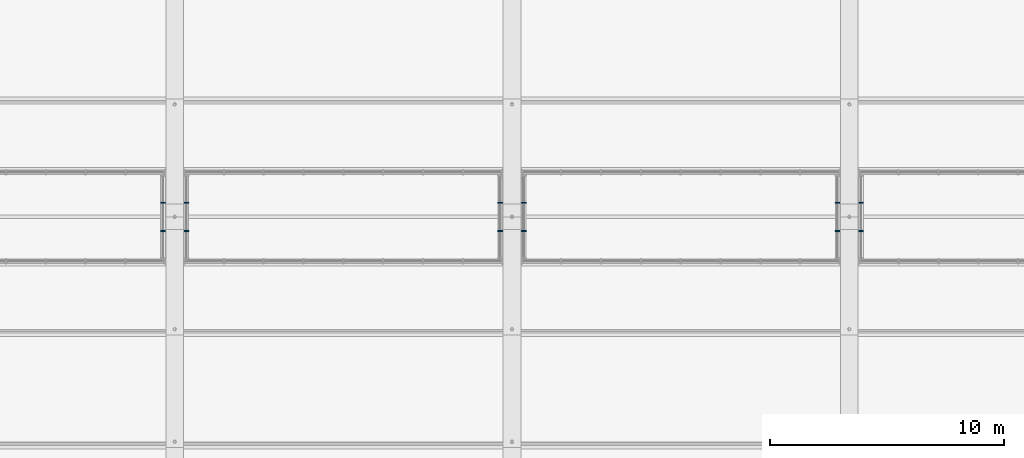
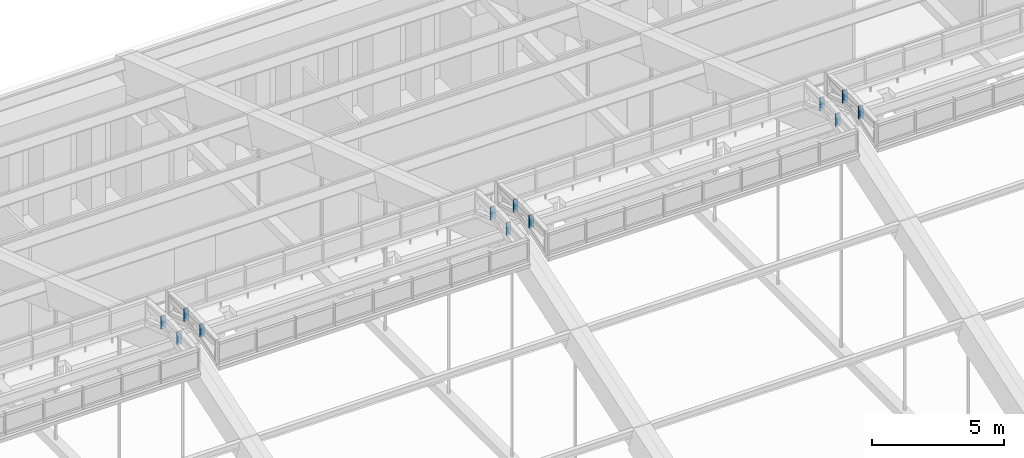
# One storey, part 108 of 149: 12 members, 6 elements without a shape of their own.
"""IFC4 building model written with IfcOpenShell, lengths in metres."""

from ifc_helpers import new_model, si_unit, direction, frame, origin, origin_2d, place, context, subcontext, project, spatial, rectangle, extrude, material, material_profile, profile_set, type_object, element, aggregate, save


model = new_model("IFC4")

# Units and contexts
model_context = context("Model", 3, precision=1e-05, world=origin(), true_north=direction((0.0, 1.0)))
body_context = subcontext(model_context, "Body", "Model", "MODEL_VIEW")
ifc_project = project(units=[si_unit("LENGTHUNIT", "METRE"), si_unit("AREAUNIT", "SQUARE_METRE"), si_unit("VOLUMEUNIT", "CUBIC_METRE"), si_unit("PLANEANGLEUNIT", "RADIAN"), si_unit("MASSUNIT", "GRAM", prefix="KILO")], contexts=[model_context])

# Site, building, storey
site_placement = place(None, origin())
site = spatial("IfcSite", under=ifc_project, at=site_placement, CompositionType="ELEMENT")
building_placement = place(site_placement, origin())
building = spatial("IfcBuilding", under=site, at=building_placement, Name="Alderwick Market Hall", CompositionType="ELEMENT")
storey_placement = place(building_placement, frame((0.0, 0.0, 9.60009765625)))
storey = spatial("IfcBuildingStorey", under=building, at=storey_placement, Name="L01", CompositionType="ELEMENT", Elevation=9.60009765625)

# Curtain wall, members
ifc_material = material(Name="Aluminium", Category="aluminium")
curtain_wall_type = type_object("IfcCurtainWallType", Name="R Curtain Wall Frame", PredefinedType="NOTDEFINED", material=ifc_material)
curtain_wall_1_placement = place(storey_placement, origin())
curtain_wall_1 = element("IfcCurtainWall", 1, at=curtain_wall_1_placement, inside=storey, type_object=curtain_wall_type, Name="Curtain wall LCW E3", PredefinedType="NOTDEFINED")
ifc_material_profile = material_profile(ifc_material, rectangle(XDim=0.199951171875, YDim=0.06005859375, at=origin_2d()), Name="AL 60x200")
ifc_profile_set = profile_set([ifc_material_profile], Name="Aluminium")
member_type = type_object("IfcMemberType", Name="R CW Mullion 60x200", PredefinedType="MULLION", material=ifc_profile_set)
member_1_placement = place(storey_placement, frame((93.10009765625, 78.60009765625, 17.103515625), z_axis=(0.0, 0.0, 1.0), x_axis=(1.0, 0.0, 0.0)))
member_1 = element("IfcMember", 2, at=member_1_placement, type_object=member_type, Name="LCW E3 mullion 2", PredefinedType="MULLION", context=body_context, shape_type="SweptSolid", body=[
    extrude(rectangle(XDim=0.199951171875, YDim=0.06005859375, at=origin_2d()), origin(), (0.0, 0.0, 1.0), 0.596435546875),
])
member_2_placement = place(storey_placement, frame((93.10009765625, 79.800048828125, 17.103515625), z_axis=(0.0, 0.0, 1.0), x_axis=(1.0, 0.0, 0.0)))
member_2 = element("IfcMember", 3, at=member_2_placement, type_object=member_type, Name="LCW E3 mullion 3", PredefinedType="MULLION", context=body_context, shape_type="SweptSolid", body=[
    extrude(rectangle(XDim=0.199951171875, YDim=0.06005859375, at=origin_2d()), origin(), (0.0, 0.0, 1.0), 0.596435546875),
])
aggregate(curtain_wall_1, [member_1, member_2])

curtain_wall_2_placement = place(storey_placement, origin())
curtain_wall_2 = element("IfcCurtainWall", 4, at=curtain_wall_2_placement, inside=storey, type_object=curtain_wall_type, Name="Curtain wall LCW W4", PredefinedType="NOTDEFINED")
member_3_placement = place(storey_placement, frame((94.10009765625, 78.60009765625, 17.103515625), z_axis=(0.0, 0.0, 1.0), x_axis=(1.0, 0.0, 0.0)))
member_3 = element("IfcMember", 5, at=member_3_placement, type_object=member_type, Name="LCW W4 mullion 2", PredefinedType="MULLION", context=body_context, shape_type="SweptSolid", body=[
    extrude(rectangle(XDim=0.199951171875, YDim=0.06005859375, at=origin_2d()), origin(), (0.0, 0.0, 1.0), 0.596435546875),
])
member_4_placement = place(storey_placement, frame((94.10009765625, 79.800048828125, 17.103515625), z_axis=(0.0, 0.0, 1.0), x_axis=(1.0, 0.0, 0.0)))
member_4 = element("IfcMember", 6, at=member_4_placement, type_object=member_type, Name="LCW W4 mullion 3", PredefinedType="MULLION", context=body_context, shape_type="SweptSolid", body=[
    extrude(rectangle(XDim=0.199951171875, YDim=0.06005859375, at=origin_2d()), origin(), (0.0, 0.0, 1.0), 0.596435546875),
])
aggregate(curtain_wall_2, [member_3, member_4])

curtain_wall_3_placement = place(storey_placement, origin())
curtain_wall_3 = element("IfcCurtainWall", 7, at=curtain_wall_3_placement, inside=storey, type_object=curtain_wall_type, Name="Curtain wall LCW E4", PredefinedType="NOTDEFINED")
member_5_placement = place(storey_placement, frame((107.5, 78.60009765625, 17.103515625), z_axis=(0.0, 0.0, 1.0), x_axis=(1.0, 0.0, 0.0)))
member_5 = element("IfcMember", 8, at=member_5_placement, type_object=member_type, Name="LCW E4 mullion 2", PredefinedType="MULLION", context=body_context, shape_type="SweptSolid", body=[
    extrude(rectangle(XDim=0.199951171875, YDim=0.06005859375, at=origin_2d()), origin(), (0.0, 0.0, 1.0), 0.596435546875),
])
member_6_placement = place(storey_placement, frame((107.5, 79.800048828125, 17.103515625), z_axis=(0.0, 0.0, 1.0), x_axis=(1.0, 0.0, 0.0)))
member_6 = element("IfcMember", 9, at=member_6_placement, type_object=member_type, Name="LCW E4 mullion 3", PredefinedType="MULLION", context=body_context, shape_type="SweptSolid", body=[
    extrude(rectangle(XDim=0.199951171875, YDim=0.06005859375, at=origin_2d()), origin(), (0.0, 0.0, 1.0), 0.596435546875),
])
aggregate(curtain_wall_3, [member_5, member_6])

curtain_wall_4_placement = place(storey_placement, origin())
curtain_wall_4 = element("IfcCurtainWall", 10, at=curtain_wall_4_placement, inside=storey, type_object=curtain_wall_type, Name="Curtain wall LCW W5", PredefinedType="NOTDEFINED")
member_7_placement = place(storey_placement, frame((108.5, 78.60009765625, 17.103515625), z_axis=(0.0, 0.0, 1.0), x_axis=(1.0, 0.0, 0.0)))
member_7 = element("IfcMember", 11, at=member_7_placement, type_object=member_type, Name="LCW W5 mullion 2", PredefinedType="MULLION", context=body_context, shape_type="SweptSolid", body=[
    extrude(rectangle(XDim=0.199951171875, YDim=0.06005859375, at=origin_2d()), origin(), (0.0, 0.0, 1.0), 0.596435546875),
])
member_8_placement = place(storey_placement, frame((108.5, 79.800048828125, 17.103515625), z_axis=(0.0, 0.0, 1.0), x_axis=(1.0, 0.0, 0.0)))
member_8 = element("IfcMember", 12, at=member_8_placement, type_object=member_type, Name="LCW W5 mullion 3", PredefinedType="MULLION", context=body_context, shape_type="SweptSolid", body=[
    extrude(rectangle(XDim=0.199951171875, YDim=0.06005859375, at=origin_2d()), origin(), (0.0, 0.0, 1.0), 0.596435546875),
])
aggregate(curtain_wall_4, [member_7, member_8])

curtain_wall_5_placement = place(storey_placement, origin())
curtain_wall_5 = element("IfcCurtainWall", 13, at=curtain_wall_5_placement, inside=storey, type_object=curtain_wall_type, Name="Curtain wall LCW E5", PredefinedType="NOTDEFINED")
member_9_placement = place(storey_placement, frame((121.89990234375, 78.60009765625, 17.103515625), z_axis=(0.0, 0.0, 1.0), x_axis=(1.0, 0.0, 0.0)))
member_9 = element("IfcMember", 14, at=member_9_placement, type_object=member_type, Name="LCW E5 mullion 2", PredefinedType="MULLION", context=body_context, shape_type="SweptSolid", body=[
    extrude(rectangle(XDim=0.199951171875, YDim=0.06005859375, at=origin_2d()), origin(), (0.0, 0.0, 1.0), 0.596435546875),
])
member_10_placement = place(storey_placement, frame((121.89990234375, 79.800048828125, 17.103515625), z_axis=(0.0, 0.0, 1.0), x_axis=(1.0, 0.0, 0.0)))
member_10 = element("IfcMember", 15, at=member_10_placement, type_object=member_type, Name="LCW E5 mullion 3", PredefinedType="MULLION", context=body_context, shape_type="SweptSolid", body=[
    extrude(rectangle(XDim=0.199951171875, YDim=0.06005859375, at=origin_2d()), origin(), (0.0, 0.0, 1.0), 0.596435546875),
])
aggregate(curtain_wall_5, [member_9, member_10])

curtain_wall_6_placement = place(storey_placement, origin())
curtain_wall_6 = element("IfcCurtainWall", 16, at=curtain_wall_6_placement, inside=storey, type_object=curtain_wall_type, Name="Curtain wall LCW W6", PredefinedType="NOTDEFINED")
member_11_placement = place(storey_placement, frame((122.89990234375, 78.60009765625, 17.103515625), z_axis=(0.0, 0.0, 1.0), x_axis=(1.0, 0.0, 0.0)))
member_11 = element("IfcMember", 17, at=member_11_placement, type_object=member_type, Name="LCW W6 mullion 2", PredefinedType="MULLION", context=body_context, shape_type="SweptSolid", body=[
    extrude(rectangle(XDim=0.199951171875, YDim=0.06005859375, at=origin_2d()), origin(), (0.0, 0.0, 1.0), 0.596435546875),
])
member_12_placement = place(storey_placement, frame((122.89990234375, 79.800048828125, 17.103515625), z_axis=(0.0, 0.0, 1.0), x_axis=(1.0, 0.0, 0.0)))
member_12 = element("IfcMember", 18, at=member_12_placement, type_object=member_type, Name="LCW W6 mullion 3", PredefinedType="MULLION", context=body_context, shape_type="SweptSolid", body=[
    extrude(rectangle(XDim=0.199951171875, YDim=0.06005859375, at=origin_2d()), origin(), (0.0, 0.0, 1.0), 0.596435546875),
])
aggregate(curtain_wall_6, [member_11, member_12])

save(model, "model.ifc")
